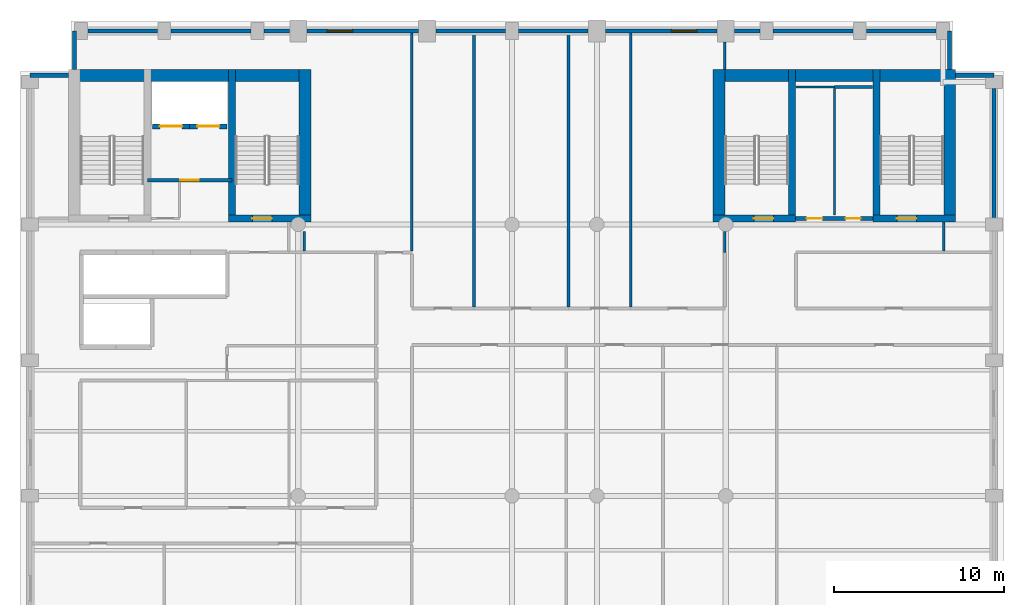
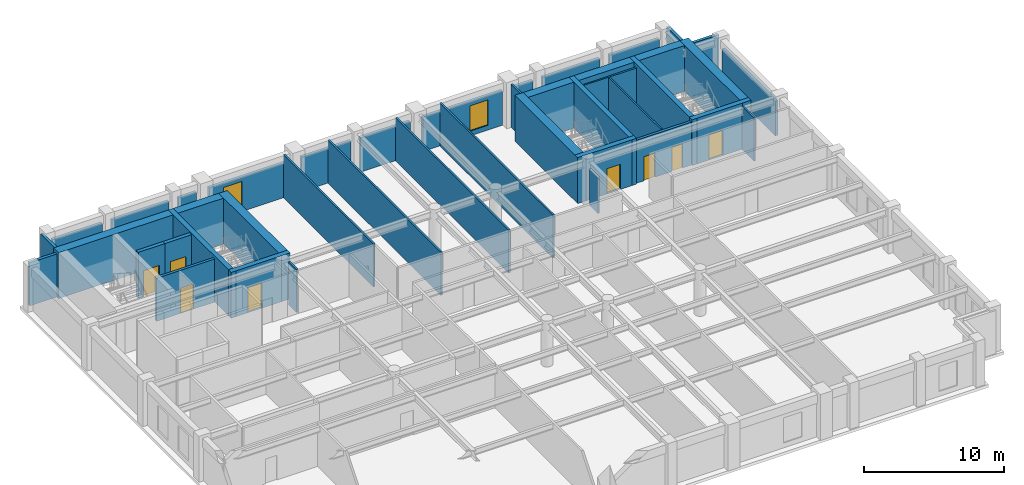
# One storey, part 5 of 8: 41 walls, 8 doors, 2 windows, 10 openings.
"""IFC4 building model written with IfcOpenShell, lengths in metres."""

from ifc_helpers import new_model, si_unit, direction, frame, frame_2d, origin, place, context, subcontext, project, spatial, rectangle, extrude, material, layer, layer_set, type_object, element, fill, save


model = new_model("IFC4")

# Units and contexts
model_context = context("Model", 3, precision=1e-05, world=origin(), true_north=direction((0.0, 1.0)))
body_context = subcontext(model_context, "Body", "Model", "MODEL_VIEW")
ifc_project = project(units=[si_unit("LENGTHUNIT", "METRE"), si_unit("AREAUNIT", "SQUARE_METRE"), si_unit("VOLUMEUNIT", "CUBIC_METRE"), si_unit("PLANEANGLEUNIT", "RADIAN"), si_unit("MASSUNIT", "GRAM", prefix="KILO")], contexts=[model_context])

# Site, building, storey
site_placement = place(None, origin())
site = spatial("IfcSite", under=ifc_project, at=site_placement, CompositionType="ELEMENT")
building_placement = place(site_placement, origin())
building = spatial("IfcBuilding", under=site, at=building_placement, Name="Sulina Concourse Tower", CompositionType="ELEMENT")
storey_placement = place(building_placement, frame((0.0, 0.0, 226.60009765625)))
storey = spatial("IfcBuildingStorey", under=building, at=storey_placement, Name="L55", CompositionType="ELEMENT", Elevation=226.60009765625)

# Wall, opening, door
ifc_material_1 = material(Name="Concrete C50/60", Category="concrete")
ifc_layer_1 = layer(ifc_material_1, 0.300048828125)
ifc_layer_set_1 = layer_set([ifc_layer_1], Name="Concrete C50/60")
wall_type_1 = type_object("IfcWallType", Name="Core Lift Hoistway Wall 300mm", PredefinedType="SOLIDWALL", material=ifc_layer_set_1)
wall_1_placement = place(storey_placement, frame((10.0, 39.780029296875, 0.0), z_axis=(0.0, 0.0, 1.0), x_axis=(-1.0, 0.0, 0.0)))
wall_1 = element("IfcWall", 1, at=wall_1_placement, inside=storey, type_object=wall_type_1, Name="L55 hoistway enclosure wall FFL-1", PredefinedType="SOLIDWALL", context=body_context, shape_type="SweptSolid", body=[
    extrude(rectangle(XDim=2.199951171875, YDim=0.300048828125, at=frame_2d((1.10009765625, 0.0))), origin(), (0.0, 0.0, 1.0), 4.0),
])
opening_1_placement = place(wall_1_placement, frame((0.449951171875, 0.0, 0.0)))
opening_1 = element("IfcOpeningElement", 2, at=opening_1_placement, cuts=wall_1, Name="Opening LD-02", PredefinedType="OPENING", context=body_context, shape_type="SweptSolid", body=[
    extrude(rectangle(XDim=1.300048828125, YDim=2.25, at=frame_2d((0.64990234375, 1.125))), frame((0.0, 0.159912109375, 0.0), z_axis=(0.0, -1.0, 0.0), x_axis=(1.0, 0.0, 0.0)), (0.0, 0.0, 1.0), 0.320068359375),
])
ifc_material_2 = material(Name="Stainless steel lift landing door", Category="steel")
ifc_layer_2 = layer(ifc_material_2, 0.050048828125)
ifc_layer_set_2 = layer_set([ifc_layer_2], Name="Stainless steel lift landing door")
door_type_1 = type_object("IfcDoorType", Name="Firefighting Lift Sliding Landing Door 1300x2250", OperationType="SLIDING_TO_RIGHT", PredefinedType="DOOR", material=ifc_layer_set_2)
door_1_placement = place(opening_1_placement, origin())
door_1 = element("IfcDoor", 3, at=door_1_placement, inside=storey, type_object=door_type_1, Name="L55 lift landing sliding door FFL-1", OperationType="SLIDING_TO_LEFT", OverallHeight=2.25, OverallWidth=1.300048828125, PredefinedType="DOOR", context=body_context, shape_type="SweptSolid", body=[
    extrude(rectangle(XDim=1.300048828125, YDim=2.25, at=frame_2d((0.64990234375, 1.125))), frame((0.0, 0.02490234375, 0.0), z_axis=(0.0, -1.0, 0.0), x_axis=(1.0, 0.0, 0.0)), (0.0, 0.0, 1.0), 0.050048828125),
])
fill(opening_1, door_1)

wall_2_placement = place(storey_placement, frame((12.199951171875, 39.780029296875, 0.0), z_axis=(0.0, 0.0, 1.0), x_axis=(-1.0, 0.0, 0.0)))
wall_2 = element("IfcWall", 4, at=wall_2_placement, inside=storey, type_object=wall_type_1, Name="L55 hoistway enclosure wall FFL-2", PredefinedType="SOLIDWALL", context=body_context, shape_type="SweptSolid", body=[
    extrude(rectangle(XDim=2.199951171875, YDim=0.300048828125, at=frame_2d((1.10009765625, 0.0))), origin(), (0.0, 0.0, 1.0), 4.0),
])
opening_2_placement = place(wall_2_placement, frame((0.449951171875, 0.0, 0.0)))
opening_2 = element("IfcOpeningElement", 5, at=opening_2_placement, cuts=wall_2, Name="Opening LD-02", PredefinedType="OPENING", context=body_context, shape_type="SweptSolid", body=[
    extrude(rectangle(XDim=1.300048828125, YDim=2.25, at=frame_2d((0.64990234375, 1.125))), frame((0.0, 0.159912109375, 0.0), z_axis=(0.0, -1.0, 0.0), x_axis=(1.0, 0.0, 0.0)), (0.0, 0.0, 1.0), 0.320068359375),
])
door_2_placement = place(opening_2_placement, origin())
door_2 = element("IfcDoor", 6, at=door_2_placement, inside=storey, type_object=door_type_1, Name="L55 lift landing sliding door FFL-2", OperationType="SLIDING_TO_RIGHT", OverallHeight=2.25, OverallWidth=1.300048828125, PredefinedType="DOOR", context=body_context, shape_type="SweptSolid", body=[
    extrude(rectangle(XDim=1.300048828125, YDim=2.25, at=frame_2d((0.64990234375, 1.125))), frame((0.0, 0.02490234375, 0.0), z_axis=(0.0, -1.0, 0.0), x_axis=(1.0, 0.0, 0.0)), (0.0, 0.0, 1.0), 0.050048828125),
])
fill(opening_2, door_2)

# Walls
ifc_material_3 = material(Name="Precast concrete C50/60", Category="concrete")
ifc_layer_3 = layer(ifc_material_3, 0.239990234375)
ifc_layer_set_3 = layer_set([ifc_layer_3], Name="Precast concrete C50/60")
wall_type_2 = type_object("IfcWallType", Name="Crown Precast Masonry-Frame Facade Wall 240mm", PredefinedType="SOLIDWALL", material=ifc_layer_set_3)
wall_3_placement = place(storey_placement, frame((3.9951171875, 45.39990234375, 0.0), z_axis=(0.0, 0.0, 1.0), x_axis=(1.0, 0.0, 0.0)))
element("IfcWall", 7, at=wall_3_placement, inside=storey, type_object=wall_type_2, Name="L55 exterior precast wall N1", PredefinedType="SOLIDWALL", context=body_context, shape_type="SweptSolid", body=[
    extrude(rectangle(XDim=4.10986328125, YDim=0.239990234375, at=frame_2d((2.054931640625, 0.0))), origin(), (0.0, 0.0, 1.0), 3.0),
])
wall_4_placement = place(storey_placement, frame((8.89501953125, 45.39990234375, 0.0), z_axis=(0.0, 0.0, 1.0), x_axis=(1.0, 0.0, 0.0)))
element("IfcWall", 8, at=wall_4_placement, inside=storey, type_object=wall_type_2, Name="L55 exterior precast wall N2", PredefinedType="SOLIDWALL", context=body_context, shape_type="SweptSolid", body=[
    extrude(rectangle(XDim=4.7099609375, YDim=0.239990234375, at=frame_2d((2.35498046875, 0.0))), origin(), (0.0, 0.0, 1.0), 3.0),
])
wall_5_placement = place(storey_placement, frame((14.39501953125, 45.39990234375, 0.0), z_axis=(0.0, 0.0, 1.0), x_axis=(1.0, 0.0, 0.0)))
element("IfcWall", 9, at=wall_5_placement, inside=storey, type_object=wall_type_2, Name="L55 exterior precast wall N3", PredefinedType="SOLIDWALL", context=body_context, shape_type="SweptSolid", body=[
    extrude(rectangle(XDim=1.48486328125, YDim=0.239990234375, at=frame_2d((0.742431640625, 0.0))), origin(), (0.0, 0.0, 1.0), 3.0),
])

# Wall, opening, window
wall_6_placement = place(storey_placement, frame((16.919921875, 45.39990234375, 0.0), z_axis=(0.0, 0.0, 1.0), x_axis=(1.0, 0.0, 0.0)))
wall_6 = element("IfcWall", 10, at=wall_6_placement, inside=storey, type_object=wall_type_2, Name="L55 exterior precast wall N4", PredefinedType="SOLIDWALL", context=body_context, shape_type="SweptSolid", body=[
    extrude(rectangle(XDim=6.56005859375, YDim=0.239990234375, at=frame_2d((3.280029296875, 0.0))), origin(), (0.0, 0.0, 1.0), 3.0),
])
opening_3_placement = place(wall_6_placement, frame((1.186767578125, 0.0, 0.419921875)))
opening_3 = element("IfcOpeningElement", 11, at=opening_3_placement, cuts=wall_6, Name="Opening WN-71", PredefinedType="OPENING", context=body_context, shape_type="SweptSolid", body=[
    extrude(rectangle(XDim=1.5, YDim=2.199951171875, at=frame_2d((0.75, 1.10009765625))), frame((0.0, 0.1298828125, 0.0), z_axis=(0.0, -1.0, 0.0), x_axis=(1.0, 0.0, 0.0)), (0.0, 0.0, 1.0), 0.260009765625),
])
ifc_material_4 = material(Name="Low-E solar double glazing in bronze aluminium", Category="aluminium")
window_type = type_object("IfcWindowType", Name="Punched Masonry-Frame Window 1500x2200", PartitioningType="SINGLE_PANEL", PredefinedType="WINDOW", material=ifc_material_4)
window_1_placement = place(opening_3_placement, origin())
window_1 = element("IfcWindow", 12, at=window_1_placement, inside=storey, type_object=window_type, Name="L55 punched window N4-1", OverallHeight=2.199951171875, OverallWidth=1.5, PartitioningType="SINGLE_PANEL", PredefinedType="WINDOW", context=body_context, shape_type="SweptSolid", body=[
    extrude(rectangle(XDim=1.5, YDim=2.199951171875, at=frame_2d((0.75, 1.10009765625))), frame((0.0, 0.030029296875, 0.0), z_axis=(0.0, -1.0, 0.0), x_axis=(1.0, 0.0, 0.0)), (0.0, 0.0, 1.0), 0.06005859375),
])
fill(opening_3, window_1)

# Walls
for number, where, z_axis, x_axis, name in (
    (13, (24.52001953125, 45.39990234375, 0.0), (0.0, 0.0, 1.0), (1.0, 0.0, 0.0), "L55 exterior precast wall N5"),
    (14, (29.39501953125, 45.39990234375, 0.0), (0.0, 0.0, 1.0), (1.0, 0.0, 0.0), "L55 exterior precast wall N6"),
):
    element("IfcWall", number, at=place(storey_placement, frame(where, z_axis=z_axis, x_axis=x_axis)), inside=storey, type_object=wall_type_2, Name=name, PredefinedType="SOLIDWALL", context=body_context, shape_type="SweptSolid", body=[
        extrude(rectangle(XDim=4.0849609375, YDim=0.239990234375, at=frame_2d((2.04248046875, 0.0))), origin(), (0.0, 0.0, 1.0), 3.0),
    ])

# Wall, opening, window
wall_7_placement = place(storey_placement, frame((34.52001953125, 45.39990234375, 0.0), z_axis=(0.0, 0.0, 1.0), x_axis=(1.0, 0.0, 0.0)))
wall_7 = element("IfcWall", 15, at=wall_7_placement, inside=storey, type_object=wall_type_2, Name="L55 exterior precast wall N7", PredefinedType="SOLIDWALL", context=body_context, shape_type="SweptSolid", body=[
    extrude(rectangle(XDim=6.56005859375, YDim=0.239990234375, at=frame_2d((3.280029296875, 0.0))), origin(), (0.0, 0.0, 1.0), 3.0),
])
opening_4_placement = place(wall_7_placement, frame((3.873291015625, 0.0, 0.419921875)))
opening_4 = element("IfcOpeningElement", 16, at=opening_4_placement, cuts=wall_7, Name="Opening WN-71", PredefinedType="OPENING", context=body_context, shape_type="SweptSolid", body=[
    extrude(rectangle(XDim=1.5, YDim=2.199951171875, at=frame_2d((0.75, 1.10009765625))), frame((0.0, 0.1298828125, 0.0), z_axis=(0.0, -1.0, 0.0), x_axis=(1.0, 0.0, 0.0)), (0.0, 0.0, 1.0), 0.260009765625),
])
window_2_placement = place(opening_4_placement, origin())
window_2 = element("IfcWindow", 17, at=window_2_placement, inside=storey, type_object=window_type, Name="L55 punched window N7-1", OverallHeight=2.199951171875, OverallWidth=1.5, PartitioningType="SINGLE_PANEL", PredefinedType="WINDOW", context=body_context, shape_type="SweptSolid", body=[
    extrude(rectangle(XDim=1.5, YDim=2.199951171875, at=frame_2d((0.75, 1.10009765625))), frame((0.0, 0.030029296875, 0.0), z_axis=(0.0, -1.0, 0.0), x_axis=(1.0, 0.0, 0.0)), (0.0, 0.0, 1.0), 0.06005859375),
])
fill(opening_4, window_2)

# Walls
wall_8_placement = place(storey_placement, frame((42.1201171875, 45.39990234375, 0.0), z_axis=(0.0, 0.0, 1.0), x_axis=(1.0, 0.0, 0.0)))
element("IfcWall", 18, at=wall_8_placement, inside=storey, type_object=wall_type_2, Name="L55 exterior precast wall N8", PredefinedType="SOLIDWALL", context=body_context, shape_type="SweptSolid", body=[
    extrude(rectangle(XDim=1.48486328125, YDim=0.239990234375, at=frame_2d((0.742431640625, 0.0))), origin(), (0.0, 0.0, 1.0), 3.0),
])
wall_9_placement = place(storey_placement, frame((44.39501953125, 45.39990234375, 0.0), z_axis=(0.0, 0.0, 1.0), x_axis=(1.0, 0.0, 0.0)))
element("IfcWall", 19, at=wall_9_placement, inside=storey, type_object=wall_type_2, Name="L55 exterior precast wall N9", PredefinedType="SOLIDWALL", context=body_context, shape_type="SweptSolid", body=[
    extrude(rectangle(XDim=4.7099609375, YDim=0.239990234375, at=frame_2d((2.35498046875, 0.0))), origin(), (0.0, 0.0, 1.0), 3.0),
])
wall_10_placement = place(storey_placement, frame((49.89501953125, 45.39990234375, 0.0), z_axis=(0.0, 0.0, 1.0), x_axis=(1.0, 0.0, 0.0)))
element("IfcWall", 20, at=wall_10_placement, inside=storey, type_object=wall_type_2, Name="L55 exterior precast wall N10", PredefinedType="SOLIDWALL", context=body_context, shape_type="SweptSolid", body=[
    extrude(rectangle(XDim=4.10986328125, YDim=0.239990234375, at=frame_2d((2.054931640625, 0.0))), origin(), (0.0, 0.0, 1.0), 3.0),
])
wall_11_placement = place(storey_placement, frame((57.39990234375, 42.0048828125, 0.0), z_axis=(0.0, 0.0, 1.0), x_axis=(0.0, -1.0, 0.0)))
element("IfcWall", 21, at=wall_11_placement, inside=storey, type_object=wall_type_2, Name="L55 exterior precast wall E5", PredefinedType="SOLIDWALL", context=body_context, shape_type="SweptSolid", body=[
    extrude(rectangle(XDim=7.60986328125, YDim=0.239990234375, at=frame_2d((3.804931640625, 0.0))), origin(), (0.0, 0.0, 1.0), 3.0),
])
wall_12_placement = place(storey_placement, frame((0.60009765625, 42.794921875, 0.0), z_axis=(0.0, 0.0, 1.0), x_axis=(1.0, 0.0, 0.0)))
element("IfcWall", 22, at=wall_12_placement, inside=storey, type_object=wall_type_2, Name="L55 exterior precast wall CNW1", PredefinedType="SOLIDWALL", context=body_context, shape_type="SweptSolid", body=[
    extrude(rectangle(XDim=2.244873046875, YDim=0.239990234375, at=frame_2d((1.12255859375, 0.0))), origin(), (0.0, 0.0, 1.0), 3.75),
])
for number, where, z_axis, x_axis, name in (
    (23, (3.205078125, 43.135009765625, 0.0), (0.0, 0.0, 1.0), (0.0, 1.0, 0.0), "L55 exterior precast wall CNW2"),
    (24, (54.794921875, 45.39990234375, 0.0), (0.0, 0.0, 1.0), (0.0, -1.0, 0.0), "L55 exterior precast wall CNE1"),
):
    element("IfcWall", number, at=place(storey_placement, frame(where, z_axis=z_axis, x_axis=x_axis)), inside=storey, type_object=wall_type_2, Name=name, PredefinedType="SOLIDWALL", context=body_context, shape_type="SweptSolid", body=[
        extrude(rectangle(XDim=2.264892578125, YDim=0.239990234375, at=frame_2d((1.13232421875, 0.0))), origin(), (0.0, 0.0, 1.0), 3.75),
    ])
wall_13_placement = place(storey_placement, frame((55.155029296875, 42.794921875, 0.0), z_axis=(0.0, 0.0, 1.0), x_axis=(1.0, 0.0, 0.0)))
element("IfcWall", 25, at=wall_13_placement, inside=storey, type_object=wall_type_2, Name="L55 exterior precast wall CNE2", PredefinedType="SOLIDWALL", context=body_context, shape_type="SweptSolid", body=[
    extrude(rectangle(XDim=2.244873046875, YDim=0.239990234375, at=frame_2d((1.12255859375, 0.0))), origin(), (0.0, 0.0, 1.0), 3.75),
])

# Wall, opening, door
ifc_material_5 = material(Name="Gypsum board on steel stud", Category="steel")
ifc_layer_4 = layer(ifc_material_5, 0.219970703125)
ifc_layer_set_4 = layer_set([ifc_layer_4], Name="Gypsum board on steel stud")
wall_type_3 = type_object("IfcWallType", Name="Fire-Rated Lobby & Compartment Wall 220mm", PredefinedType="PARTITIONING", material=ifc_layer_set_4)
wall_14_placement = place(storey_placement, frame((7.510009765625, 36.60009765625, 0.0), z_axis=(0.0, 0.0, 1.0), x_axis=(1.0, 0.0, 0.0)))
wall_14 = element("IfcWall", 26, at=wall_14_placement, inside=storey, type_object=wall_type_3, Name="L55 firefighting lobby south fire wall", PredefinedType="PARTITIONING", context=body_context, shape_type="SweptSolid", body=[
    extrude(rectangle(XDim=4.97998046875, YDim=0.219970703125, at=frame_2d((2.489990234375, 0.0))), origin(), (0.0, 0.0, 1.0), 3.75),
])
opening_5_placement = place(wall_14_placement, frame((1.93994140625, 0.0, 0.0)))
opening_5 = element("IfcOpeningElement", 27, at=opening_5_placement, cuts=wall_14, Name="Opening DR-47", PredefinedType="OPENING", context=body_context, shape_type="SweptSolid", body=[
    extrude(rectangle(XDim=1.10009765625, YDim=2.199951171875, at=frame_2d((0.550048828125, 1.10009765625))), frame((0.0, 0.119873046875, 0.0), z_axis=(0.0, -1.0, 0.0), x_axis=(1.0, 0.0, 0.0)), (0.0, 0.0, 1.0), 0.239990234375),
])
ifc_material_6 = material(Name="Galvanised steel acoustic fire leaf", Category="steel")
ifc_layer_5 = layer(ifc_material_6, 0.054931640625)
ifc_layer_set_5 = layer_set([ifc_layer_5], Name="Galvanised steel acoustic fire leaf")
door_type_2 = type_object("IfcDoorType", Name="Firefighting Lobby Fire Door 1100x2200", OperationType="NOTDEFINED", PredefinedType="DOOR", material=ifc_layer_set_5)
door_3_placement = place(opening_5_placement, origin())
door_3 = element("IfcDoor", 28, at=door_3_placement, inside=storey, type_object=door_type_2, Name="L55 firefighting lobby fire door", OperationType="SINGLE_SWING_RIGHT", OverallHeight=2.199951171875, OverallWidth=1.10009765625, PredefinedType="DOOR", context=body_context, shape_type="SweptSolid", body=[
    extrude(rectangle(XDim=1.10009765625, YDim=2.199951171875, at=frame_2d((0.550048828125, 1.10009765625))), frame((0.0, 0.02490234375, 0.0), z_axis=(0.0, -1.0, 0.0), x_axis=(1.0, 0.0, 0.0)), (0.0, 0.0, 1.0), 0.050048828125),
])
fill(opening_5, door_3)

# Wall, openings, doors
wall_15_placement = place(storey_placement, frame((45.719970703125, 34.35009765625, 0.0), z_axis=(0.0, 0.0, 1.0), x_axis=(1.0, 0.0, 0.0)))
wall_15 = element("IfcWall", 29, at=wall_15_placement, inside=storey, type_object=wall_type_3, Name="L55 east core south lobby wall", PredefinedType="PARTITIONING", context=body_context, shape_type="SweptSolid", body=[
    extrude(rectangle(XDim=4.56005859375, YDim=0.219970703125, at=frame_2d((2.280029296875, 0.0))), origin(), (0.0, 0.0, 1.0), 3.75),
])
opening_6_placement = place(wall_15_placement, frame((0.64990234375, 0.0, 0.0)))
opening_6 = element("IfcOpeningElement", 30, at=opening_6_placement, cuts=wall_15, Name="Opening DR-61", PredefinedType="OPENING", context=body_context, shape_type="SweptSolid", body=[
    extrude(rectangle(XDim=0.919921875, YDim=2.10009765625, at=frame_2d((0.4599609375, 1.050048828125))), frame((0.0, 0.119873046875, 0.0), z_axis=(0.0, -1.0, 0.0), x_axis=(1.0, 0.0, 0.0)), (0.0, 0.0, 1.0), 0.239990234375),
])
opening_7_placement = place(wall_15_placement, frame((2.949951171875, 0.0, 0.0)))
opening_7 = element("IfcOpeningElement", 31, at=opening_7_placement, cuts=wall_15, Name="Opening DR-38", PredefinedType="OPENING", context=body_context, shape_type="SweptSolid", body=[
    extrude(rectangle(XDim=0.8798828125, YDim=2.10009765625, at=frame_2d((0.43994140625, 1.050048828125))), frame((0.0, 0.119873046875, 0.0), z_axis=(0.0, -1.0, 0.0), x_axis=(1.0, 0.0, 0.0)), (0.0, 0.0, 1.0), 0.239990234375),
])
ifc_material_7 = material(Name="Oak-veneered fire door leaf")
ifc_layer_6 = layer(ifc_material_7, 0.050048828125)
ifc_layer_set_6 = layer_set([ifc_layer_6], Name="Oak-veneered fire door leaf")
door_type_3 = type_object("IfcDoorType", Name="Accessible WC Door 920x2100", OperationType="NOTDEFINED", PredefinedType="DOOR", material=ifc_layer_set_6)
door_4_placement = place(opening_6_placement, origin())
door_4 = element("IfcDoor", 32, at=door_4_placement, inside=storey, type_object=door_type_3, Name="L55 east core accessible wc door", OperationType="SINGLE_SWING_RIGHT", OverallHeight=2.10009765625, OverallWidth=0.919921875, PredefinedType="DOOR", context=body_context, shape_type="SweptSolid", body=[
    extrude(rectangle(XDim=0.919921875, YDim=2.10009765625, at=frame_2d((0.4599609375, 1.050048828125))), frame((0.0, 0.02490234375, 0.0), z_axis=(0.0, -1.0, 0.0), x_axis=(1.0, 0.0, 0.0)), (0.0, 0.0, 1.0), 0.050048828125),
])
fill(opening_6, door_4)
ifc_material_8 = material(Name="Galvanised steel acoustic fire leaf", Category="steel")
ifc_layer_7 = layer(ifc_material_8, 0.050048828125)
ifc_layer_set_7 = layer_set([ifc_layer_7], Name="Galvanised steel acoustic fire leaf")
door_type_4 = type_object("IfcDoorType", Name="Service Riser Fire Door 880x2100", OperationType="NOTDEFINED", PredefinedType="DOOR", material=ifc_layer_set_7)
door_5_placement = place(opening_7_placement, origin())
door_5 = element("IfcDoor", 33, at=door_5_placement, inside=storey, type_object=door_type_4, Name="L55 east core store door", OperationType="SINGLE_SWING_LEFT", OverallHeight=2.10009765625, OverallWidth=0.8798828125, PredefinedType="DOOR", context=body_context, shape_type="SweptSolid", body=[
    extrude(rectangle(XDim=0.8798828125, YDim=2.10009765625, at=frame_2d((0.43994140625, 1.050048828125))), frame((0.0, 0.02490234375, 0.0), z_axis=(0.0, -1.0, 0.0), x_axis=(1.0, 0.0, 0.0)), (0.0, 0.0, 1.0), 0.050048828125),
])
fill(opening_7, door_5)

# Walls
ifc_material_9 = material(Name="Gypsum board on steel stud", Category="steel")
ifc_layer_8 = layer(ifc_material_9, 0.14990234375)
ifc_layer_set_8 = layer_set([ifc_layer_8], Name="Gypsum board on steel stud")
wall_type_4 = type_object("IfcWallType", Name="Inter-Tenancy Acoustic Partition 150mm", PredefinedType="PARTITIONING", material=ifc_layer_set_8)
wall_16_placement = place(storey_placement, frame((48.0, 42.10009765625, 0.0), z_axis=(0.0, 0.0, 1.0), x_axis=(1.0, 0.0, 0.0)))
element("IfcWall", 34, at=wall_16_placement, inside=storey, type_object=wall_type_4, Name="L55 interior partition 029", PredefinedType="PARTITIONING", context=body_context, shape_type="SweptSolid", body=[
    extrude(rectangle(XDim=2.25, YDim=0.14990234375, at=frame_2d((1.125, 0.0))), origin(), (0.0, 0.0, 1.0), 3.75),
])
wall_17_placement = place(storey_placement, frame((16.75, 32.425048828125, 0.0), z_axis=(0.0, 0.0, 1.0), x_axis=(0.0, 1.0, 0.0)))
element("IfcWall", 35, at=wall_17_placement, inside=storey, type_object=wall_type_4, Name="L55 interior partition 037", PredefinedType="PARTITIONING", context=body_context, shape_type="SweptSolid", body=[
    extrude(rectangle(XDim=1.14990234375, YDim=0.14990234375, at=frame_2d((0.574951171875, 0.0))), origin(), (0.0, 0.0, 1.0), 3.75),
])
wall_18_placement = place(storey_placement, frame((23.10009765625, 32.43994140625, 0.0), z_axis=(0.0, 0.0, 1.0), x_axis=(0.0, 1.0, 0.0)))
element("IfcWall", 36, at=wall_18_placement, inside=storey, type_object=wall_type_4, Name="L55 interior partition 045", PredefinedType="PARTITIONING", context=body_context, shape_type="SweptSolid", body=[
    extrude(rectangle(XDim=12.840087890625, YDim=0.14990234375, at=frame_2d((6.419921875, 0.0))), origin(), (0.0, 0.0, 1.0), 3.75),
])
for number, where, z_axis, x_axis, name in (
    (37, (26.760009765625, 29.139892578125, 0.0), (0.0, 0.0, 1.0), (0.0, 1.0, 0.0), "L55 interior partition 046"),
    (38, (32.330078125, 29.139892578125, 0.0), (0.0, 0.0, 1.0), (0.0, 1.0, 0.0), "L55 interior partition 048"),
    (39, (35.989990234375, 29.139892578125, 0.0), (0.0, 0.0, 1.0), (0.0, 1.0, 0.0), "L55 interior partition 049"),
):
    element("IfcWall", number, at=place(storey_placement, frame(where, z_axis=z_axis, x_axis=x_axis)), inside=storey, type_object=wall_type_4, Name=name, PredefinedType="PARTITIONING", context=body_context, shape_type="SweptSolid", body=[
        extrude(rectangle(XDim=16.14013671875, YDim=0.14990234375, at=frame_2d((8.070068359375, 0.0))), origin(), (0.0, 0.0, 1.0), 3.75),
    ])
wall_19_placement = place(storey_placement, frame((41.550048828125, 32.35009765625, 0.0), z_axis=(0.0, 0.0, 1.0), x_axis=(0.0, 1.0, 0.0)))
element("IfcWall", 40, at=wall_19_placement, inside=storey, type_object=wall_type_4, Name="L55 interior partition 052", PredefinedType="PARTITIONING", context=body_context, shape_type="SweptSolid", body=[
    extrude(rectangle(XDim=1.224853515625, YDim=0.14990234375, at=frame_2d((0.6123046875, 0.0))), origin(), (0.0, 0.0, 1.0), 3.14501953125),
])
wall_20_placement = place(storey_placement, frame((41.550048828125, 43.1298828125, 0.0), z_axis=(0.0, 0.0, 1.0), x_axis=(0.0, 1.0, 0.0)))
element("IfcWall", 41, at=wall_20_placement, inside=storey, type_object=wall_type_4, Name="L55 interior partition 053", PredefinedType="PARTITIONING", context=body_context, shape_type="SweptSolid", body=[
    extrude(rectangle(XDim=1.6201171875, YDim=0.14990234375, at=frame_2d((0.81005859375, 0.0))), origin(), (0.0, 0.0, 1.0), 3.75),
])
wall_21_placement = place(storey_placement, frame((54.449951171875, 32.425048828125, 0.0), z_axis=(0.0, 0.0, 1.0), x_axis=(0.0, 1.0, 0.0)))
element("IfcWall", 42, at=wall_21_placement, inside=storey, type_object=wall_type_4, Name="L55 interior partition 057", PredefinedType="PARTITIONING", context=body_context, shape_type="SweptSolid", body=[
    extrude(rectangle(XDim=1.724853515625, YDim=0.14990234375, at=frame_2d((0.8623046875, 0.0))), origin(), (0.0, 0.0, 1.0), 3.75),
])

# Wall, opening, door
ifc_material_10 = material(Name="Concrete C60/75", Category="concrete")
ifc_layer_9 = layer(ifc_material_10, 0.39990234375)
ifc_layer_set_9 = layer_set([ifc_layer_9], Name="Concrete C60/75")
wall_type_5 = type_object("IfcWallType", Name="Protected Stair Core Shear Wall 400mm", PredefinedType="SHEAR", material=ifc_layer_set_9)
wall_22_placement = place(storey_placement, frame((12.2900390625, 34.35009765625, 0.0), z_axis=(0.0, 0.0, 1.0), x_axis=(1.0, 0.0, 0.0)))
wall_22 = element("IfcWall", 43, at=wall_22_placement, inside=storey, type_object=wall_type_5, Name="L55 west core shear wall CW-WS2", PredefinedType="SHEAR", context=body_context, shape_type="SweptSolid", body=[
    extrude(rectangle(XDim=4.85986328125, YDim=0.39990234375, at=frame_2d((2.429931640625, 0.0))), origin(), (0.0, 0.0, 1.0), 4.0),
])
opening_8_placement = place(wall_22_placement, frame((1.39990234375, 0.0, 0.0)))
opening_8 = element("IfcOpeningElement", 44, at=opening_8_placement, cuts=wall_22, Name="Opening DR-60", PredefinedType="OPENING", context=body_context, shape_type="SweptSolid", body=[
    extrude(rectangle(XDim=1.14990234375, YDim=2.199951171875, at=frame_2d((0.574951171875, 1.10009765625))), frame((0.0, 0.2099609375, 0.0), z_axis=(0.0, -1.0, 0.0), x_axis=(1.0, 0.0, 0.0)), (0.0, 0.0, 1.0), 0.419921875),
])
ifc_material_11 = material(Name="Galvanised steel acoustic fire leaf", Category="steel")
ifc_layer_10 = layer(ifc_material_11, 0.054931640625)
ifc_layer_set_10 = layer_set([ifc_layer_10], Name="Galvanised steel acoustic fire leaf")
door_type_5 = type_object("IfcDoorType", Name="Protected Exit Stair Fire Door 1150x2200", OperationType="NOTDEFINED", PredefinedType="DOOR", material=ifc_layer_set_10)
door_6_placement = place(opening_8_placement, origin())
door_6 = element("IfcDoor", 45, at=door_6_placement, inside=storey, type_object=door_type_5, Name="L55 stair ST-2 lobby fire door", OperationType="SINGLE_SWING_LEFT", OverallHeight=2.199951171875, OverallWidth=1.14990234375, PredefinedType="DOOR", context=body_context, shape_type="SweptSolid", body=[
    extrude(rectangle(XDim=1.14990234375, YDim=2.199951171875, at=frame_2d((0.574951171875, 1.10009765625))), frame((0.0, 0.02490234375, 0.0), z_axis=(0.0, -1.0, 0.0), x_axis=(1.0, 0.0, 0.0)), (0.0, 0.0, 1.0), 0.050048828125),
])
fill(opening_8, door_6)

# Wall
wall_23_placement = place(storey_placement, frame((12.489990234375, 34.14990234375, 0.0), z_axis=(0.0, 0.0, 1.0), x_axis=(0.0, 1.0, 0.0)))
element("IfcWall", 46, at=wall_23_placement, inside=storey, type_object=wall_type_5, Name="L55 west core shear wall SW-ST2", PredefinedType="SHEAR", context=body_context, shape_type="SweptSolid", body=[
    extrude(rectangle(XDim=8.97998046875, YDim=0.39990234375, at=frame_2d((4.489990234375, 0.0))), origin(), (0.0, 0.0, 1.0), 4.0),
])

# Wall, opening, door
wall_24_placement = place(storey_placement, frame((40.85009765625, 34.35009765625, 0.0), z_axis=(0.0, 0.0, 1.0), x_axis=(1.0, 0.0, 0.0)))
wall_24 = element("IfcWall", 47, at=wall_24_placement, inside=storey, type_object=wall_type_5, Name="L55 east core shear wall CW-ES1", PredefinedType="SHEAR", context=body_context, shape_type="SweptSolid", body=[
    extrude(rectangle(XDim=4.85986328125, YDim=0.39990234375, at=frame_2d((2.429931640625, 0.0))), origin(), (0.0, 0.0, 1.0), 4.0),
])
opening_9_placement = place(wall_24_placement, frame((2.39990234375, 0.0, 0.0)))
opening_9 = element("IfcOpeningElement", 48, at=opening_9_placement, cuts=wall_24, Name="Opening DR-60", PredefinedType="OPENING", context=body_context, shape_type="SweptSolid", body=[
    extrude(rectangle(XDim=1.14990234375, YDim=2.199951171875, at=frame_2d((0.574951171875, 1.10009765625))), frame((0.0, 0.2099609375, 0.0), z_axis=(0.0, -1.0, 0.0), x_axis=(1.0, 0.0, 0.0)), (0.0, 0.0, 1.0), 0.419921875),
])
door_7_placement = place(opening_9_placement, origin())
door_7 = element("IfcDoor", 49, at=door_7_placement, inside=storey, type_object=door_type_5, Name="L55 stair ST-3 south lobby fire door", OperationType="SINGLE_SWING_LEFT", OverallHeight=2.199951171875, OverallWidth=1.14990234375, PredefinedType="DOOR", context=body_context, shape_type="SweptSolid", body=[
    extrude(rectangle(XDim=1.14990234375, YDim=2.199951171875, at=frame_2d((0.574951171875, 1.10009765625))), frame((0.0, 0.02490234375, 0.0), z_axis=(0.0, -1.0, 0.0), x_axis=(1.0, 0.0, 0.0)), (0.0, 0.0, 1.0), 0.050048828125),
])
fill(opening_9, door_7)

# Wall
wall_25_placement = place(storey_placement, frame((45.510009765625, 34.14990234375, 0.0), z_axis=(0.0, 0.0, 1.0), x_axis=(0.0, 1.0, 0.0)))
element("IfcWall", 50, at=wall_25_placement, inside=storey, type_object=wall_type_5, Name="L55 east core shear wall SW-ST3", PredefinedType="SHEAR", context=body_context, shape_type="SweptSolid", body=[
    extrude(rectangle(XDim=8.97998046875, YDim=0.39990234375, at=frame_2d((4.489990234375, 0.0))), origin(), (0.0, 0.0, 1.0), 4.0),
])

# Wall, opening, door
wall_26_placement = place(storey_placement, frame((50.2900390625, 34.35009765625, 0.0), z_axis=(0.0, 0.0, 1.0), x_axis=(1.0, 0.0, 0.0)))
wall_26 = element("IfcWall", 51, at=wall_26_placement, inside=storey, type_object=wall_type_5, Name="L55 east core shear wall CW-ES2", PredefinedType="SHEAR", context=body_context, shape_type="SweptSolid", body=[
    extrude(rectangle(XDim=4.85986328125, YDim=0.39990234375, at=frame_2d((2.429931640625, 0.0))), origin(), (0.0, 0.0, 1.0), 4.0),
])
opening_10_placement = place(wall_26_placement, frame((1.39990234375, 0.0, 0.0)))
opening_10 = element("IfcOpeningElement", 52, at=opening_10_placement, cuts=wall_26, Name="Opening DR-60", PredefinedType="OPENING", context=body_context, shape_type="SweptSolid", body=[
    extrude(rectangle(XDim=1.14990234375, YDim=2.199951171875, at=frame_2d((0.574951171875, 1.10009765625))), frame((0.0, 0.2099609375, 0.0), z_axis=(0.0, -1.0, 0.0), x_axis=(1.0, 0.0, 0.0)), (0.0, 0.0, 1.0), 0.419921875),
])
door_8_placement = place(opening_10_placement, origin())
door_8 = element("IfcDoor", 53, at=door_8_placement, inside=storey, type_object=door_type_5, Name="L55 stair ST-4 south lobby fire door", OperationType="SINGLE_SWING_RIGHT", OverallHeight=2.199951171875, OverallWidth=1.14990234375, PredefinedType="DOOR", context=body_context, shape_type="SweptSolid", body=[
    extrude(rectangle(XDim=1.14990234375, YDim=2.199951171875, at=frame_2d((0.574951171875, 1.10009765625))), frame((0.0, 0.02490234375, 0.0), z_axis=(0.0, -1.0, 0.0), x_axis=(1.0, 0.0, 0.0)), (0.0, 0.0, 1.0), 0.050048828125),
])
fill(opening_10, door_8)

# Walls
wall_27_placement = place(storey_placement, frame((50.489990234375, 34.14990234375, 0.0), z_axis=(0.0, 0.0, 1.0), x_axis=(0.0, 1.0, 0.0)))
element("IfcWall", 54, at=wall_27_placement, inside=storey, type_object=wall_type_5, Name="L55 east core shear wall SW-ST4", PredefinedType="SHEAR", context=body_context, shape_type="SweptSolid", body=[
    extrude(rectangle(XDim=8.97998046875, YDim=0.39990234375, at=frame_2d((4.489990234375, 0.0))), origin(), (0.0, 0.0, 1.0), 4.0),
])
ifc_material_12 = material(Name="Concrete C60/75", Category="concrete")
ifc_layer_11 = layer(ifc_material_12, 0.699951171875)
ifc_layer_set_11 = layer_set([ifc_layer_11], Name="Concrete C60/75")
wall_type_6 = type_object("IfcWallType", Name="Rear Core Shear Wall 700mm", PredefinedType="SHEAR", material=ifc_layer_set_11)
wall_28_placement = place(storey_placement, frame((2.85009765625, 42.780029296875, 0.0), z_axis=(0.0, 0.0, 1.0), x_axis=(1.0, 0.0, 0.0)))
element("IfcWall", 55, at=wall_28_placement, inside=storey, type_object=wall_type_6, Name="L55 west core shear wall CW-WN", PredefinedType="SHEAR", context=body_context, shape_type="SweptSolid", body=[
    extrude(rectangle(XDim=14.2998046875, YDim=0.699951171875, at=frame_2d((7.14990234375, 0.0))), origin(), (0.0, 0.0, 1.0), 4.0),
])
wall_29_placement = place(storey_placement, frame((16.800048828125, 34.14990234375, 0.0), z_axis=(0.0, 0.0, 1.0), x_axis=(0.0, 1.0, 0.0)))
element("IfcWall", 56, at=wall_29_placement, inside=storey, type_object=wall_type_6, Name="L55 west core shear wall CW-WE", PredefinedType="SHEAR", context=body_context, shape_type="SweptSolid", body=[
    extrude(rectangle(XDim=8.97998046875, YDim=0.699951171875, at=frame_2d((4.489990234375, 0.0))), origin(), (0.0, 0.0, 1.0), 4.0),
])
wall_30_placement = place(storey_placement, frame((40.85009765625, 42.780029296875, 0.0), z_axis=(0.0, 0.0, 1.0), x_axis=(1.0, 0.0, 0.0)))
element("IfcWall", 57, at=wall_30_placement, inside=storey, type_object=wall_type_6, Name="L55 east core shear wall CW-EN", PredefinedType="SHEAR", context=body_context, shape_type="SweptSolid", body=[
    extrude(rectangle(XDim=14.2998046875, YDim=0.699951171875, at=frame_2d((7.14990234375, 0.0))), origin(), (0.0, 0.0, 1.0), 4.0),
])
for number, where, z_axis, x_axis, name in (
    (58, (41.199951171875, 34.14990234375, 0.0), (0.0, 0.0, 1.0), (0.0, 1.0, 0.0), "L55 east core shear wall CW-EW"),
    (59, (54.800048828125, 34.14990234375, 0.0), (0.0, 0.0, 1.0), (0.0, 1.0, 0.0), "L55 east core shear wall CW-EE"),
):
    element("IfcWall", number, at=place(storey_placement, frame(where, z_axis=z_axis, x_axis=x_axis)), inside=storey, type_object=wall_type_6, Name=name, PredefinedType="SHEAR", context=body_context, shape_type="SweptSolid", body=[
        extrude(rectangle(XDim=8.97998046875, YDim=0.699951171875, at=frame_2d((4.489990234375, 0.0))), origin(), (0.0, 0.0, 1.0), 4.0),
    ])
ifc_material_13 = material(Name="Gypsum board on steel stud", Category="steel")
ifc_layer_12 = layer(ifc_material_13, 0.125)
ifc_layer_set_12 = layer_set([ifc_layer_12], Name="Gypsum board on steel stud")
wall_type_7 = type_object("IfcWallType", Name="Wet-Area Moisture-Resistant Partition 125mm", PredefinedType="PARTITIONING", material=ifc_layer_set_12)
wall_31_placement = place(storey_placement, frame((45.75, 42.10009765625, 0.0), z_axis=(0.0, 0.0, 1.0), x_axis=(1.0, 0.0, 0.0)))
element("IfcWall", 60, at=wall_31_placement, inside=storey, type_object=wall_type_7, Name="L55 interior partition 028", PredefinedType="PARTITIONING", context=body_context, shape_type="SweptSolid", body=[
    extrude(rectangle(XDim=2.25, YDim=0.125, at=frame_2d((1.125, 0.0))), origin(), (0.0, 0.0, 1.0), 3.75),
])
wall_32_placement = place(storey_placement, frame((48.0, 34.550048828125, 0.0), z_axis=(0.0, 0.0, 1.0), x_axis=(0.0, 1.0, 0.0)))
element("IfcWall", 61, at=wall_32_placement, inside=storey, type_object=wall_type_7, Name="L55 interior partition 056", PredefinedType="PARTITIONING", context=body_context, shape_type="SweptSolid", body=[
    extrude(rectangle(XDim=7.474853515625, YDim=0.125, at=frame_2d((3.7373046875, 0.0))), origin(), (0.0, 0.0, 1.0), 3.75),
])

save(model, "model.ifc")
